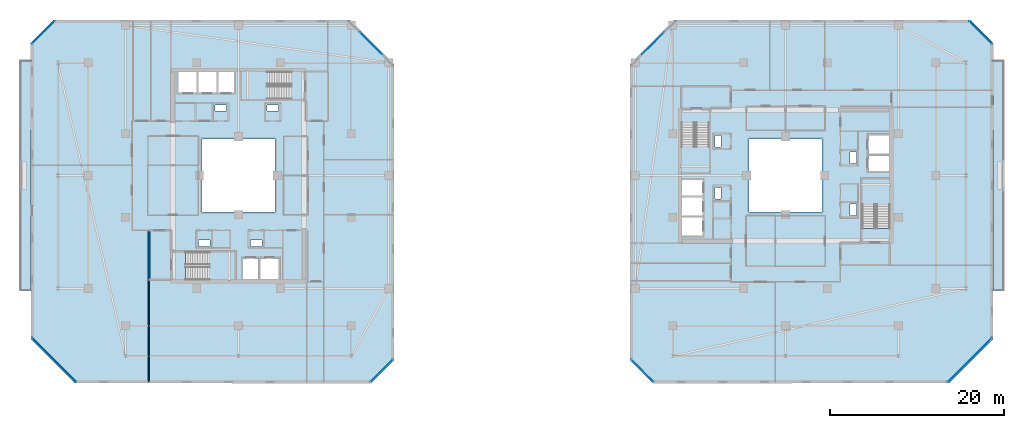
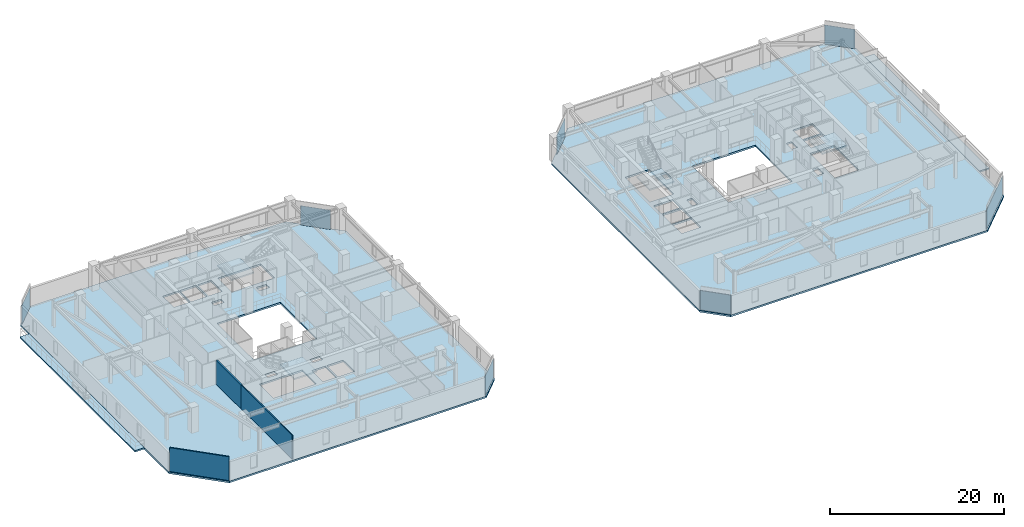
# One storey, part 17 of 32: 8 plates, 8 slabs, 3 walls, 12 elements without a shape of their own.
"""IFC4 building model written with IfcOpenShell, lengths in metres."""

import ifcopenshell
import ifcopenshell.guid

model = None  # the IFC model being written
_history = None  # IfcOwnerHistory: only IFC2X3 demands one
_inside = {}  # id of a spatial element -> (the spatial element, [elements in it])
_under = {}  # id of a project, library or spatial element -> (it, [spatial elements below it])
_declared = {}  # id of a project -> (the project, [libraries it declares])
_typed = {}  # id of a type object -> (the type object, [elements of that type])
_made_of = {}  # id of a material, layer set ... -> (it, [elements and type objects made of it])


def new_model(schema):
    """Start an empty IFC model of exactly this schema.

    Asked for "IFC4X3", IfcOpenShell would pick the latest addendum, in which some entities
    have other attributes; the version numbers below select the first issue.
    IFC2X3 requires an IfcOwnerHistory on every rooted entity: one is made here for all.
    """
    global model, _history
    if schema == "IFC4X3":
        model = ifcopenshell.file(schema_version=(4, 3, 0, 0))
    else:
        model = ifcopenshell.file(schema=schema)
    _inside.clear()
    _under.clear()
    _declared.clear()
    _typed.clear()
    _made_of.clear()
    _history = None
    if model.schema == "IFC2X3":
        org = make("IfcOrganization", Name="unknown")
        user = make(
            "IfcPersonAndOrganization",
            ThePerson=make("IfcPerson", FamilyName="unknown"),
            TheOrganization=org,
        )
        app = make(
            "IfcApplication",
            ApplicationDeveloper=org,
            Version="unknown",
            ApplicationFullName="unknown",
            ApplicationIdentifier="unknown",
        )
        _history = make(
            "IfcOwnerHistory",
            OwningUser=user,
            OwningApplication=app,
            ChangeAction="ADDED",
            CreationDate=0,
        )
    return model


def make(cls, **values):
    """One entity of the class cls with the attributes given. An attribute that is None is left unset."""
    return model.create_entity(
        cls, **{name: value for name, value in values.items() if value is not None}
    )


def rooted(cls, **values):
    """An entity with a GlobalId (a new one), such as an element, a storey or a relation."""
    return make(cls, GlobalId=ifcopenshell.guid.new(), OwnerHistory=_history, **values)


def si_unit(unit_type, name, prefix=None):
    """IfcSIUnit, for example si_unit("LENGTHUNIT", "METRE", prefix="MILLI")."""
    return make("IfcSIUnit", UnitType=unit_type, Prefix=prefix, Name=name)


def assignment(units):
    """IfcUnitAssignment: the units of a project."""
    return None if units is None else make("IfcUnitAssignment", Units=units)


def point(xyz):
    """IfcCartesianPoint."""
    return None if xyz is None else make("IfcCartesianPoint", Coordinates=xyz)


def direction(xyz):
    """IfcDirection."""
    return None if xyz is None else make("IfcDirection", DirectionRatios=xyz)


def frame(location, z_axis=None, x_axis=None):
    """IfcAxis2Placement3D, a coordinate frame: its origin and axes. An axis left out is left unset."""
    return make(
        "IfcAxis2Placement3D",
        Location=point(location),
        Axis=direction(z_axis),
        RefDirection=direction(x_axis),
    )


def frame_2d(location, x_axis=None):
    """IfcAxis2Placement2D, a coordinate frame in the plane: its origin and x axis."""
    return make(
        "IfcAxis2Placement2D", Location=point(location), RefDirection=direction(x_axis)
    )


def origin():
    """The frame at (0, 0, 0) with its axes left unset."""
    return frame((0.0, 0.0, 0.0))


def origin_2d():
    """The frame at (0, 0) in the plane with its x axis left unset."""
    return frame_2d((0.0, 0.0))


def place(relative_to, where):
    """IfcLocalPlacement: puts the frame where relative to a parent placement (None: the world)."""
    return make(
        "IfcLocalPlacement", PlacementRelTo=relative_to, RelativePlacement=where
    )


def context(
    kind, dimensions, precision=None, world=None, true_north=None, identifier=None
):
    """IfcGeometricRepresentationContext, for example the 3D "Model" context."""
    return make(
        "IfcGeometricRepresentationContext",
        ContextIdentifier=identifier,
        ContextType=kind,
        CoordinateSpaceDimension=dimensions,
        Precision=precision,
        WorldCoordinateSystem=world,
        TrueNorth=true_north,
    )


def subcontext(parent, identifier, kind, view, scale=None):
    """IfcGeometricRepresentationSubContext, for example "Body" below "Model"."""
    return make(
        "IfcGeometricRepresentationSubContext",
        ContextIdentifier=identifier,
        ContextType=kind,
        ParentContext=parent,
        TargetScale=scale,
        TargetView=view,
    )


def project(units=None, contexts=None):
    """IfcProject with its units and contexts."""
    return rooted(
        "IfcProject",
        Name="project",
        RepresentationContexts=contexts,
        UnitsInContext=assignment(units),
    )


def spatial(cls, under=None, at=None, **own):
    """A site, building, storey or space (cls), placed at a placement, below another one or the project."""
    s = rooted(cls, ObjectPlacement=at, **own)
    if under is not None:
        _under.setdefault(under.id(), (under, []))[1].append(s)
    return s


def polyline(points):
    """IfcPolyline through the points."""
    return make("IfcPolyline", Points=[point(p) for p in points])


def profile(cls, at=None, kind="AREA", **sizes):
    """A parametric profile (cls). Its sizes go by their IFC names, for example OverallWidth=200.0."""
    return make(cls, ProfileType=kind, Position=at, **sizes)


def rectangle(**sizes):
    """IfcRectangleProfileDef."""
    return profile("IfcRectangleProfileDef", **sizes)


def outline(outer, holes=None, kind="AREA"):
    """IfcArbitraryClosedProfileDef: a profile drawn as a closed curve; with holes, ...WithVoids."""
    if holes is None:
        return make("IfcArbitraryClosedProfileDef", ProfileType=kind, OuterCurve=outer)
    return make(
        "IfcArbitraryProfileDefWithVoids",
        ProfileType=kind,
        OuterCurve=outer,
        InnerCurves=holes,
    )


def extrude(swept, where, along, depth):
    """IfcExtrudedAreaSolid: the profile swept, set in the frame where, extruded along a direction by depth."""
    return make(
        "IfcExtrudedAreaSolid",
        SweptArea=swept,
        Position=where,
        ExtrudedDirection=direction(along),
        Depth=depth,
    )


def shape(context_of_items, identifier, shape_type, items):
    """IfcShapeRepresentation: the items that make up one representation, for example the "Body"."""
    return make(
        "IfcShapeRepresentation",
        ContextOfItems=context_of_items,
        RepresentationIdentifier=identifier,
        RepresentationType=shape_type,
        Items=items,
    )


def material(Name=None, Category=None):
    """IfcMaterial."""
    return make("IfcMaterial", Name=Name, Category=Category)


def layer(
    of_material, thickness, ventilated=None, Name=None, Category=None, Priority=None
):
    """IfcMaterialLayer: one layer of a wall or slab, of a material (None: an air gap)."""
    return make(
        "IfcMaterialLayer",
        Material=of_material,
        LayerThickness=thickness,
        IsVentilated=ventilated,
        Name=Name,
        Category=Category,
        Priority=Priority,
    )


def layer_set(layers, Name=None):
    """IfcMaterialLayerSet."""
    return make("IfcMaterialLayerSet", MaterialLayers=layers, LayerSetName=Name)


def made_of(thing, what):
    """Note that an element or type object is made of a material, layer set ...; save() writes the relation."""
    if what is not None:
        _made_of.setdefault(what.id(), (what, []))[1].append(thing)
    return thing


def type_object(cls, material=None, **own):
    """A type object (cls), such as IfcWallType, which elements share."""
    return made_of(rooted(cls, **own), material)


def element(
    cls,
    number,
    at=None,
    inside=None,
    cuts=None,
    type_object=None,
    material=None,
    context=None,
    identifier="Body",
    shape_type=None,
    held_by="IfcProductDefinitionShape",
    body=None,
    shapes=None,
    **own,
):
    """One element of the class cls, such as IfcWall. Its Tag is "e" and its number.

    at: its placement. inside: the storey or other place that contains it. cuts: it is an
    opening in that element (IfcRelVoidsElement). A single representation is given by context,
    identifier, shape_type and body (its items); several are given by shapes. held_by: the class
    of the entity that holds the representations. save() writes the other relations.
    """
    e = rooted(cls, Tag="e%d" % number, ObjectPlacement=at, **own)
    if body is not None:
        shapes = [shape(context, identifier, shape_type, body)]
    if shapes is not None:
        e.Representation = make(held_by, Representations=shapes)
    if inside is not None:
        _inside.setdefault(inside.id(), (inside, []))[1].append(e)
    if cuts is not None:
        rooted(
            "IfcRelVoidsElement", RelatingBuildingElement=cuts, RelatedOpeningElement=e
        )
    if type_object is not None:
        _typed.setdefault(type_object.id(), (type_object, []))[1].append(e)
    return made_of(e, material)


def aggregate(whole, parts):
    """IfcRelAggregates: a whole, such as a stair, and the parts it consists of."""
    return rooted("IfcRelAggregates", RelatingObject=whole, RelatedObjects=parts)


def save(model, path):
    """Write the relations noted so far, then the file.

    IfcRelAggregates (storeys below a building ...), IfcRelContainedInSpatialStructure (elements
    in a storey), IfcRelDefinesByType, IfcRelAssociatesMaterial and IfcRelDeclares: one each for
    every whole, place, type object, material and project.
    """
    for whole, parts in _under.values():
        aggregate(whole, parts)
    for where, things in _inside.values():
        rooted(
            "IfcRelContainedInSpatialStructure",
            RelatedElements=things,
            RelatingStructure=where,
        )
    for kind, things in _typed.values():
        rooted("IfcRelDefinesByType", RelatedObjects=things, RelatingType=kind)
    for what, things in _made_of.values():
        rooted("IfcRelAssociatesMaterial", RelatedObjects=things, RelatingMaterial=what)
    for by, libraries in _declared.values():
        rooted("IfcRelDeclares", RelatingContext=by, RelatedDefinitions=libraries)
    model.write(path)


model = new_model("IFC4")

# Units and contexts
model_context = context("Model", 3, precision=1e-05, world=origin(), true_north=direction((0.0, 1.0)))
body_context = subcontext(model_context, "Body", "Model", "MODEL_VIEW")
ifc_project = project(units=[si_unit("LENGTHUNIT", "METRE"), si_unit("AREAUNIT", "SQUARE_METRE"), si_unit("VOLUMEUNIT", "CUBIC_METRE"), si_unit("PLANEANGLEUNIT", "RADIAN"), si_unit("MASSUNIT", "GRAM", prefix="KILO")], contexts=[model_context])

# Site, building, storey
site_placement = place(None, origin())
site = spatial("IfcSite", under=ifc_project, at=site_placement, CompositionType="ELEMENT")
building_placement = place(site_placement, origin())
building = spatial("IfcBuilding", under=site, at=building_placement, Name="Thornwick Lancets Civic Towers", CompositionType="ELEMENT")
storey_placement = place(building_placement, frame((0.0, 0.0, 243.89990234375)))
storey = spatial("IfcBuildingStorey", under=building, at=storey_placement, Name="L65", CompositionType="ELEMENT", Elevation=243.89990234375)

# Curtain wall, plate
ifc_material_1 = material(Name="High-zone chamfered-corner unitised glass curtain wall", Category="glass")
curtain_wall_type = type_object("IfcCurtainWallType", Name="CW_SYS_05", PredefinedType="NOTDEFINED", material=ifc_material_1)
curtain_wall_1_placement = place(storey_placement, origin())
curtain_wall_1 = element("IfcCurtainWall", 1, at=curtain_wall_1_placement, inside=storey, type_object=curtain_wall_type, Name="L65 Curtain Wall CW-L65-A-E1", PredefinedType="NOTDEFINED")
ifc_material_2 = material(Name="Low-e double glazing clear glass", Category="glass")
ifc_layer_1 = layer(ifc_material_2, 0.035888671875, Name="Low-e double glazing clear glass")
ifc_layer_set_1 = layer_set([ifc_layer_1], Name="Low-e double glazing clear glass")
plate_type = type_object("IfcPlateType", Name="CW_PNL_GLASS", PredefinedType="CURTAIN_PANEL", material=ifc_layer_set_1)
plate_1_placement = place(storey_placement, frame((41.972900390625, 4.527099609375, 0.0), z_axis=(0.0, 0.0, 1.0), x_axis=(0.707106781187, 0.707106781187, 0.0)))
plate_1 = element("IfcPlate", 2, at=plate_1_placement, type_object=plate_type, Name="CW-L65-A-E1 Panel 0", PredefinedType="CURTAIN_PANEL", context=body_context, shape_type="SweptSolid", body=[
    extrude(rectangle(XDim=3.649169921875, YDim=0.035888671875, at=origin_2d()), origin(), (0.0, 0.0, 1.0), 2.699951171875),
])
aggregate(curtain_wall_1, [plate_1])

curtain_wall_2_placement = place(storey_placement, origin())
curtain_wall_2 = element("IfcCurtainWall", 3, at=curtain_wall_2_placement, inside=storey, type_object=curtain_wall_type, Name="L65 Curtain Wall CW-L65-A-E3", PredefinedType="NOTDEFINED")
plate_2_placement = place(storey_placement, frame((40.727783203125, 42.227783203125, 0.0), z_axis=(0.0, 0.0, 1.0), x_axis=(-0.707106781187, 0.707106781187, 0.0)))
plate_2 = element("IfcPlate", 4, at=plate_2_placement, type_object=plate_type, Name="CW-L65-A-E3 Panel 0", PredefinedType="CURTAIN_PANEL", context=body_context, shape_type="SweptSolid", body=[
    extrude(rectangle(XDim=3.5771484375, YDim=0.035888671875, at=origin_2d()), origin(), (0.0, 0.0, 1.0), 2.699951171875),
])
aggregate(curtain_wall_2, [plate_2])

curtain_wall_3_placement = place(storey_placement, origin())
curtain_wall_3 = element("IfcCurtainWall", 5, at=curtain_wall_3_placement, inside=storey, type_object=curtain_wall_type, Name="L65 Curtain Wall CW-L65-A-E5", PredefinedType="NOTDEFINED")
plate_3_placement = place(storey_placement, frame((3.027099609375, 43.472900390625, 0.0), z_axis=(0.0, 0.0, 1.0), x_axis=(-0.707106781187, -0.707106781187, 0.0)))
plate_3 = element("IfcPlate", 6, at=plate_3_placement, type_object=plate_type, Name="CW-L65-A-E5 Panel 0", PredefinedType="CURTAIN_PANEL", context=body_context, shape_type="SweptSolid", body=[
    extrude(rectangle(XDim=3.649169921875, YDim=0.035888671875, at=origin_2d()), origin(), (0.0, 0.0, 1.0), 2.699951171875),
])
aggregate(curtain_wall_3, [plate_3])

curtain_wall_4_placement = place(storey_placement, origin())
curtain_wall_4 = element("IfcCurtainWall", 7, at=curtain_wall_4_placement, inside=storey, type_object=curtain_wall_type, Name="L65 Curtain Wall CW-L65-A-E7", PredefinedType="NOTDEFINED")
plate_4_placement = place(storey_placement, frame((4.272216796875, 5.772216796875, 0.0), z_axis=(0.0, 0.0, 1.0), x_axis=(0.707106781187, -0.707106781187, 0.0)))
plate_4 = element("IfcPlate", 8, at=plate_4_placement, type_object=plate_type, Name="CW-L65-A-E7 Panel 0", PredefinedType="CURTAIN_PANEL", context=body_context, shape_type="SweptSolid", body=[
    extrude(rectangle(XDim=7.147705078125, YDim=0.035888671875, at=origin_2d()), origin(), (0.0, 0.0, 1.0), 2.699951171875),
])
aggregate(curtain_wall_4, [plate_4])

curtain_wall_5_placement = place(storey_placement, origin())
curtain_wall_5 = element("IfcCurtainWall", 9, at=curtain_wall_5_placement, inside=storey, type_object=curtain_wall_type, Name="L65 Curtain Wall CW-L65-B-E1", PredefinedType="NOTDEFINED")
plate_5_placement = place(storey_placement, frame((109.727783203125, 5.772216796875, 0.0), z_axis=(0.0, 0.0, 1.0), x_axis=(0.707106781187, 0.707106781187, 0.0)))
plate_5 = element("IfcPlate", 10, at=plate_5_placement, type_object=plate_type, Name="CW-L65-B-E1 Panel 0", PredefinedType="CURTAIN_PANEL", context=body_context, shape_type="SweptSolid", body=[
    extrude(rectangle(XDim=7.147705078125, YDim=0.035888671875, at=origin_2d()), origin(), (0.0, 0.0, 1.0), 2.699951171875),
])
aggregate(curtain_wall_5, [plate_5])

curtain_wall_6_placement = place(storey_placement, origin())
curtain_wall_6 = element("IfcCurtainWall", 11, at=curtain_wall_6_placement, inside=storey, type_object=curtain_wall_type, Name="L65 Curtain Wall CW-L65-B-E3", PredefinedType="NOTDEFINED")
plate_6_placement = place(storey_placement, frame((110.972900390625, 43.472900390625, 0.0), z_axis=(0.0, 0.0, 1.0), x_axis=(-0.707106781187, 0.707106781187, 0.0)))
plate_6 = element("IfcPlate", 12, at=plate_6_placement, type_object=plate_type, Name="CW-L65-B-E3 Panel 0", PredefinedType="CURTAIN_PANEL", context=body_context, shape_type="SweptSolid", body=[
    extrude(rectangle(XDim=3.649169921875, YDim=0.035888671875, at=origin_2d()), origin(), (0.0, 0.0, 1.0), 2.699951171875),
])
aggregate(curtain_wall_6, [plate_6])

curtain_wall_7_placement = place(storey_placement, origin())
curtain_wall_7 = element("IfcCurtainWall", 13, at=curtain_wall_7_placement, inside=storey, type_object=curtain_wall_type, Name="L65 Curtain Wall CW-L65-B-E5", PredefinedType="NOTDEFINED")
plate_7_placement = place(storey_placement, frame((73.272216796875, 42.227783203125, 0.0), z_axis=(0.0, 0.0, 1.0), x_axis=(-0.707106781187, -0.707106781187, 0.0)))
plate_7 = element("IfcPlate", 14, at=plate_7_placement, type_object=plate_type, Name="CW-L65-B-E5 Panel 0", PredefinedType="CURTAIN_PANEL", context=body_context, shape_type="SweptSolid", body=[
    extrude(rectangle(XDim=3.5771484375, YDim=0.035888671875, at=origin_2d()), origin(), (0.0, 0.0, 1.0), 2.699951171875),
])
aggregate(curtain_wall_7, [plate_7])

curtain_wall_8_placement = place(storey_placement, origin())
curtain_wall_8 = element("IfcCurtainWall", 15, at=curtain_wall_8_placement, inside=storey, type_object=curtain_wall_type, Name="L65 Curtain Wall CW-L65-B-E7", PredefinedType="NOTDEFINED")
plate_8_placement = place(storey_placement, frame((72.027099609375, 4.527099609375, 0.0), z_axis=(0.0, 0.0, 1.0), x_axis=(0.707106781187, -0.707106781187, 0.0)))
plate_8 = element("IfcPlate", 16, at=plate_8_placement, type_object=plate_type, Name="CW-L65-B-E7 Panel 0", PredefinedType="CURTAIN_PANEL", context=body_context, shape_type="SweptSolid", body=[
    extrude(rectangle(XDim=3.649169921875, YDim=0.035888671875, at=origin_2d()), origin(), (0.0, 0.0, 1.0), 2.699951171875),
])
aggregate(curtain_wall_8, [plate_8])

# Slabs
ifc_material_3 = material(Name="Post-tensioned concrete C40/50", Category="concrete")
ifc_layer_2 = layer(ifc_material_3, 0.199951171875, Name="Post-tensioned concrete C40/50")
ifc_layer_set_2 = layer_set([ifc_layer_2], Name="Post-tensioned concrete C40/50")
slab_type_1 = type_object("IfcSlabType", Name="SLAB_BALCONY_200", PredefinedType="FLOOR", material=ifc_layer_set_2)
slab_1_placement = place(storey_placement, frame((0.0, 0.0, -0.199951171875)))
element("IfcSlab", 17, at=slab_1_placement, inside=storey, type_object=slab_type_1, Name="L65 Tower A Planted Balcony Slab W", PredefinedType="FLOOR", context=body_context, shape_type="SweptSolid", body=[
    extrude(outline(polyline([(0.35009765625, 13.800048828125), (1.60009765625, 13.800048828125), (1.60009765625, 40.199951171875), (0.35009765625, 40.199951171875), (0.35009765625, 13.800048828125)])), origin(), (0.0, 0.0, 1.0), 0.199951171875),
])
slab_2_placement = place(storey_placement, frame((0.0, 0.0, -0.199951171875)))
element("IfcSlab", 18, at=slab_2_placement, inside=storey, type_object=slab_type_1, Name="L65 Tower B Planted Balcony Slab E", PredefinedType="FLOOR", context=body_context, shape_type="SweptSolid", body=[
    extrude(outline(polyline([(112.39990234375, 13.800048828125), (113.64990234375, 13.800048828125), (113.64990234375, 40.199951171875), (112.39990234375, 40.199951171875), (112.39990234375, 13.800048828125)])), origin(), (0.0, 0.0, 1.0), 0.199951171875),
])

# Stair, slab
ifc_material_4 = material(Name="Concrete C40/50", Category="concrete")
stair_type = type_object("IfcStairType", Name="STAIR_DL_3600", PredefinedType="HALF_TURN_STAIR", material=ifc_material_4)
stair_1_placement = place(storey_placement, origin())
stair_1 = element("IfcStair", 19, at=stair_1_placement, inside=storey, type_object=stair_type, Name="L65 Tower A South Exit Stair ST-A1", PredefinedType="HALF_TURN_STAIR")
ifc_layer_3 = layer(ifc_material_4, 0.25, Name="Concrete C40/50")
ifc_layer_set_3 = layer_set([ifc_layer_3], Name="Concrete C40/50")
slab_type_2 = type_object("IfcSlabType", Name="SLAB_LANDING_200", PredefinedType="LANDING", material=ifc_layer_set_3)
slab_3_placement = place(storey_placement, frame((0.0, 0.0, 1.60302734375)))
slab_3 = element("IfcSlab", 20, at=slab_3_placement, type_object=slab_type_2, Name="ST-A1 landing 1", PredefinedType="LANDING", context=body_context, shape_type="SweptSolid", body=[
    extrude(outline(polyline([(22.169921875, 14.93994140625), (25.14990234375, 14.93994140625), (25.14990234375, 18.260009765625), (22.169921875, 18.260009765625), (22.169921875, 14.93994140625)])), origin(), (0.0, 0.0, 1.0), 0.199951171875),
])
aggregate(stair_1, [slab_3])

stair_2_placement = place(storey_placement, origin())
stair_2 = element("IfcStair", 21, at=stair_2_placement, inside=storey, type_object=stair_type, Name="L65 Tower A North Exit Stair ST-A2", PredefinedType="HALF_TURN_STAIR")
slab_4_placement = place(storey_placement, frame((0.0, 0.0, 1.60302734375)))
slab_4 = element("IfcSlab", 22, at=slab_4_placement, type_object=slab_type_2, Name="ST-A2 landing 1", PredefinedType="LANDING", context=body_context, shape_type="SweptSolid", body=[
    extrude(outline(polyline([(28.830078125, 39.06005859375), (25.85009765625, 39.06005859375), (25.85009765625, 35.739990234375), (28.830078125, 35.739990234375), (28.830078125, 39.06005859375)])), origin(), (0.0, 0.0, 1.0), 0.199951171875),
])
aggregate(stair_2, [slab_4])

stair_3_placement = place(storey_placement, origin())
stair_3 = element("IfcStair", 23, at=stair_3_placement, inside=storey, type_object=stair_type, Name="L65 Tower B East Exit Stair ST-B1", PredefinedType="HALF_TURN_STAIR")
slab_5_placement = place(storey_placement, frame((0.0, 0.0, 1.60302734375)))
slab_5 = element("IfcSlab", 24, at=slab_5_placement, type_object=slab_type_2, Name="ST-B1 landing 1", PredefinedType="LANDING", context=body_context, shape_type="SweptSolid", body=[
    extrude(outline(polyline([(100.56005859375, 23.669921875), (100.56005859375, 26.64990234375), (97.239990234375, 26.64990234375), (97.239990234375, 23.669921875), (100.56005859375, 23.669921875)])), origin(), (0.0, 0.0, 1.0), 0.199951171875),
])
aggregate(stair_3, [slab_5])

stair_4_placement = place(storey_placement, origin())
stair_4 = element("IfcStair", 25, at=stair_4_placement, inside=storey, type_object=stair_type, Name="L65 Tower B West Exit Stair ST-B2", PredefinedType="HALF_TURN_STAIR")
slab_6_placement = place(storey_placement, frame((0.0, 0.0, 1.60302734375)))
slab_6 = element("IfcSlab", 26, at=slab_6_placement, type_object=slab_type_2, Name="ST-B2 landing 1", PredefinedType="LANDING", context=body_context, shape_type="SweptSolid", body=[
    extrude(outline(polyline([(76.43994140625, 30.330078125), (76.43994140625, 27.35009765625), (79.760009765625, 27.35009765625), (79.760009765625, 30.330078125), (76.43994140625, 30.330078125)])), origin(), (0.0, 0.0, 1.0), 0.199951171875),
])
aggregate(stair_4, [slab_6])

# Slabs
ifc_layer_4 = layer(ifc_material_3, 0.239990234375, Name="Post-tensioned concrete C40/50")
ifc_layer_set_4 = layer_set([ifc_layer_4], Name="Post-tensioned concrete C40/50")
slab_type_3 = type_object("IfcSlabType", Name="SLAB_PT_240", PredefinedType="FLOOR", material=ifc_layer_set_4)
slab_7_placement = place(storey_placement, frame((0.0, 0.0, -0.239990234375)))
element("IfcSlab", 27, at=slab_7_placement, inside=storey, type_object=slab_type_3, Name="L65 Tower A Floor Slab", PredefinedType="FLOOR", context=body_context, shape_type="SweptSolid", body=[
    extrude(outline(polyline([(6.69189453125, 3.10009765625), (40.800048828125, 3.10009765625), (43.39990234375, 5.699951171875), (43.39990234375, 39.80810546875), (38.30810546875, 44.89990234375), (4.199951171875, 44.89990234375), (1.60009765625, 42.300048828125), (1.60009765625, 8.19189453125), (6.69189453125, 3.10009765625)]), holes=[polyline([(21.300048828125, 22.800048828125), (29.699951171875, 22.800048828125), (29.699951171875, 31.199951171875), (21.300048828125, 31.199951171875), (21.300048828125, 22.800048828125)]), polyline([(19.429931640625, 15.0), (25.10009765625, 15.0), (25.10009765625, 18.199951171875), (19.429931640625, 18.199951171875), (19.429931640625, 15.0)]), polyline([(31.570068359375, 39.0), (25.89990234375, 39.0), (25.89990234375, 35.800048828125), (31.570068359375, 35.800048828125), (31.570068359375, 39.0)]), polyline([(26.0, 15.0), (27.800048828125, 15.0), (27.800048828125, 17.550048828125), (26.0, 17.550048828125), (26.0, 15.0)]), polyline([(28.0, 15.0), (30.14990234375, 15.0), (30.14990234375, 17.550048828125), (28.0, 17.550048828125), (28.0, 15.0)]), polyline([(23.199951171875, 36.449951171875), (25.0, 36.449951171875), (25.0, 39.0), (23.199951171875, 39.0), (23.199951171875, 36.449951171875)]), polyline([(20.85009765625, 36.449951171875), (23.0, 36.449951171875), (23.0, 39.0), (20.85009765625, 39.0), (20.85009765625, 36.449951171875)]), polyline([(18.60009765625, 36.449951171875), (20.699951171875, 36.449951171875), (20.699951171875, 39.0), (18.60009765625, 39.0), (18.60009765625, 36.449951171875)]), polyline([(26.89990234375, 18.85009765625), (28.199951171875, 18.85009765625), (28.199951171875, 19.580078125), (26.89990234375, 19.580078125), (26.89990234375, 18.85009765625)]), polyline([(20.89990234375, 18.85009765625), (22.199951171875, 18.85009765625), (22.199951171875, 19.580078125), (20.89990234375, 19.580078125), (20.89990234375, 18.85009765625)]), polyline([(22.800048828125, 34.419921875), (24.10009765625, 34.419921875), (24.10009765625, 35.14990234375), (22.800048828125, 35.14990234375), (22.800048828125, 34.419921875)]), polyline([(28.800048828125, 34.419921875), (30.10009765625, 34.419921875), (30.10009765625, 35.14990234375), (28.800048828125, 35.14990234375), (28.800048828125, 34.419921875)])]), origin(), (0.0, 0.0, 1.0), 0.239990234375),
])
slab_8_placement = place(storey_placement, frame((0.0, 0.0, -0.239990234375)))
element("IfcSlab", 28, at=slab_8_placement, inside=storey, type_object=slab_type_3, Name="L65 Tower B Floor Slab", PredefinedType="FLOOR", context=body_context, shape_type="SweptSolid", body=[
    extrude(outline(polyline([(73.199951171875, 3.10009765625), (107.30810546875, 3.10009765625), (112.39990234375, 8.19189453125), (112.39990234375, 42.300048828125), (109.800048828125, 44.89990234375), (75.69189453125, 44.89990234375), (70.60009765625, 39.80810546875), (70.60009765625, 5.699951171875), (73.199951171875, 3.10009765625)]), holes=[polyline([(84.300048828125, 22.800048828125), (92.699951171875, 22.800048828125), (92.699951171875, 31.199951171875), (84.300048828125, 31.199951171875), (84.300048828125, 22.800048828125)]), polyline([(100.5, 20.929931640625), (100.5, 26.60009765625), (97.300048828125, 26.60009765625), (97.300048828125, 20.929931640625), (100.5, 20.929931640625)]), polyline([(76.5, 33.070068359375), (76.5, 27.39990234375), (79.699951171875, 27.39990234375), (79.699951171875, 33.070068359375), (76.5, 33.070068359375)]), polyline([(97.949951171875, 27.5), (100.5, 27.5), (100.5, 29.300048828125), (97.949951171875, 29.300048828125), (97.949951171875, 27.5)]), polyline([(97.949951171875, 29.5), (100.5, 29.5), (100.5, 31.64990234375), (97.949951171875, 31.64990234375), (97.949951171875, 29.5)]), polyline([(76.5, 24.699951171875), (79.050048828125, 24.699951171875), (79.050048828125, 26.5), (76.5, 26.5), (76.5, 24.699951171875)]), polyline([(76.5, 22.35009765625), (79.050048828125, 22.35009765625), (79.050048828125, 24.5), (76.5, 24.5), (76.5, 22.35009765625)]), polyline([(76.5, 20.10009765625), (79.050048828125, 20.10009765625), (79.050048828125, 22.199951171875), (76.5, 22.199951171875), (76.5, 20.10009765625)]), polyline([(95.919921875, 28.39990234375), (96.64990234375, 28.39990234375), (96.64990234375, 29.699951171875), (95.919921875, 29.699951171875), (95.919921875, 28.39990234375)]), polyline([(95.919921875, 22.39990234375), (96.64990234375, 22.39990234375), (96.64990234375, 23.699951171875), (95.919921875, 23.699951171875), (95.919921875, 22.39990234375)]), polyline([(80.35009765625, 24.300048828125), (81.080078125, 24.300048828125), (81.080078125, 25.60009765625), (80.35009765625, 25.60009765625), (80.35009765625, 24.300048828125)]), polyline([(80.35009765625, 30.300048828125), (81.080078125, 30.300048828125), (81.080078125, 31.60009765625), (80.35009765625, 31.60009765625), (80.35009765625, 30.300048828125)])]), origin(), (0.0, 0.0, 1.0), 0.239990234375),
])

# Walls
ifc_material_5 = material(Name="Concrete blockwork C40/50", Category="masonry")
ifc_layer_5 = layer(ifc_material_5, 0.199951171875, Name="Concrete blockwork C40/50")
ifc_layer_set_5 = layer_set([ifc_layer_5], Name="Concrete blockwork C40/50")
wall_type_1 = type_object("IfcWallType", Name="WALL_COMP_200", PredefinedType="STANDARD", material=ifc_layer_set_5)
wall_1_placement = place(storey_placement, frame((15.199951171875, 20.699951171875, 0.0), z_axis=(0.0, 0.0, 1.0), x_axis=(0.0, -1.0, 0.0)))
element("IfcWall", 29, at=wall_1_placement, inside=storey, type_object=wall_type_1, Name="L65 Partition L65-A-FFLOB1 E4", PredefinedType="STANDARD", context=body_context, shape_type="SweptSolid", body=[
    extrude(rectangle(XDim=5.699951171875, YDim=0.199951171875, at=frame_2d((2.85009765625, 0.0))), origin(), (0.0, 0.0, 1.0), 3.340087890625),
])
ifc_material_6 = material(Name="Acoustic gypsum board partition")
ifc_layer_6 = layer(ifc_material_6, 0.1201171875, Name="Acoustic gypsum board partition")
ifc_layer_set_6 = layer_set([ifc_layer_6], Name="Acoustic gypsum board partition")
wall_type_2 = type_object("IfcWallType", Name="WALL_PART_120", PredefinedType="PARTITIONING", material=ifc_layer_set_6)
wall_2_placement = place(storey_placement, frame((15.199951171875, 15.0, 0.0), z_axis=(0.0, 0.0, 1.0), x_axis=(0.0, -1.0, 0.0)))
element("IfcWall", 30, at=wall_2_placement, inside=storey, type_object=wall_type_2, Name="L65 Partition L65-A-W1 E4", PredefinedType="PARTITIONING", context=body_context, shape_type="SweptSolid", body=[
    extrude(rectangle(XDim=11.719970703125, YDim=0.1201171875, at=frame_2d((5.85986328125, 0.0))), origin(), (0.0, 0.0, 1.0), 3.340087890625),
])
wall_3_placement = place(storey_placement, frame((6.7666015625, 3.280029296875, 0.0), z_axis=(0.0, 0.0, 1.0), x_axis=(-0.707106781187, 0.707106781187, 0.0)))
element("IfcWall", 31, at=wall_3_placement, inside=storey, type_object=wall_type_2, Name="L65 Partition L65-A-W1 E6", PredefinedType="PARTITIONING", context=body_context, shape_type="SweptSolid", body=[
    extrude(rectangle(XDim=7.052001953125, YDim=0.1201171875, at=frame_2d((3.52587890625, 0.0))), origin(), (0.0, 0.0, 1.0), 3.340087890625),
])

save(model, "model.ifc")
